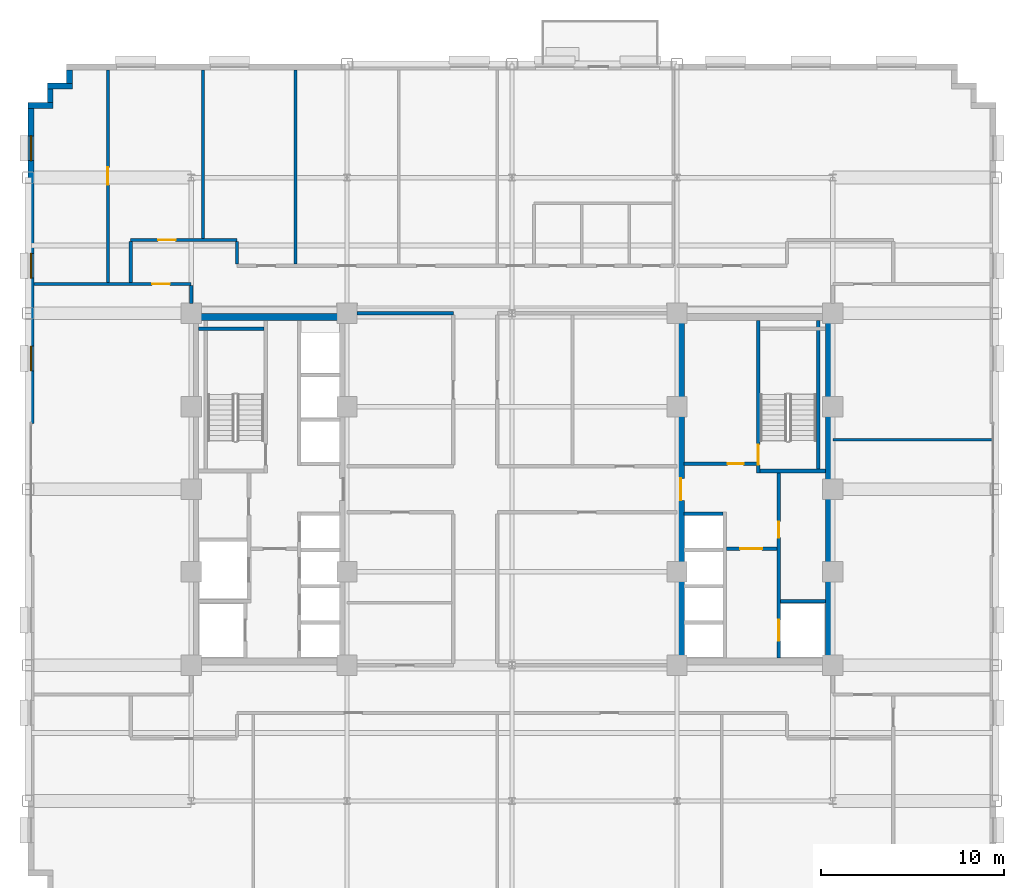
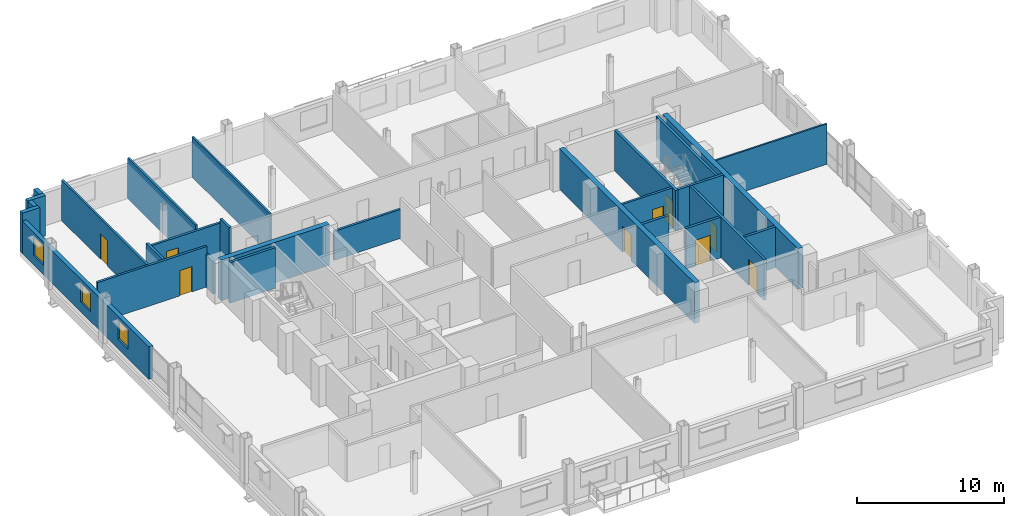
# One storey, part 8 of 16: 27 walls, 9 doors, 3 windows, 12 openings.
"""IFC4 building model written with IfcOpenShell, lengths in metres."""

from ifc_helpers import new_model, si_unit, direction, frame, frame_2d, origin, place, context, subcontext, project, spatial, rectangle, extrude, source, transform, mapped, material, layer, layer_set, type_object, type_shapes, element, fill, save


model = new_model("IFC4")

# Units and contexts
model_context = context("Model", 3, precision=1e-05, world=origin(), true_north=direction((0.0, 1.0)))
body_context = subcontext(model_context, "Body", "Model", "MODEL_VIEW")
ifc_project = project(units=[si_unit("LENGTHUNIT", "METRE"), si_unit("AREAUNIT", "SQUARE_METRE"), si_unit("VOLUMEUNIT", "CUBIC_METRE"), si_unit("PLANEANGLEUNIT", "RADIAN"), si_unit("MASSUNIT", "GRAM", prefix="KILO")], contexts=[model_context])

# Site, building, storey
site_placement = place(None, origin())
site = spatial("IfcSite", under=ifc_project, at=site_placement, CompositionType="ELEMENT")
building_placement = place(site_placement, origin())
building = spatial("IfcBuilding", under=site, at=building_placement, Name="Nuvemarco Arch Tower", CompositionType="ELEMENT")
storey_placement = place(building_placement, frame((0.0, 0.0, 116.550048828125)))
storey = spatial("IfcBuildingStorey", under=building, at=storey_placement, Name="L30", CompositionType="ELEMENT", Elevation=116.550048828125)

# Walls
ifc_material_1 = material(Name="Precast concrete C45/55", Category="concrete")
ifc_layer_1 = layer(ifc_material_1, 0.320068359375, Name="EW-MID-320")
ifc_layer_set_1 = layer_set([ifc_layer_1], Name="Precast concrete C45/55")
wall_type_1 = type_object("IfcWallType", Name="EW-MID-320", PredefinedType="STANDARD", material=ifc_layer_set_1)
wall_1_placement = place(storey_placement, frame((-24.139892578125, 22.14599609375, 0.0), z_axis=(0.0, 0.0, 1.0), x_axis=(0.0, 1.0, 0.0)))
element("IfcWall", 1, at=wall_1_placement, inside=storey, type_object=wall_type_1, Name="L30 exterior precast facade wall 12", PredefinedType="STANDARD", context=body_context, shape_type="SweptSolid", body=[
    extrude(rectangle(XDim=0.738037109375, YDim=0.320068359375, at=frame_2d((0.369140625, 0.0))), origin(), (0.0, 0.0, 1.0), 3.35986328125),
])
wall_2_placement = place(storey_placement, frame((-25.35009765625, 21.989990234375, 0.0), z_axis=(0.0, 0.0, 1.0), x_axis=(1.0, 0.0, 0.0)))
element("IfcWall", 2, at=wall_2_placement, inside=storey, type_object=wall_type_1, Name="L30 exterior precast facade wall 13", PredefinedType="STANDARD", context=body_context, shape_type="SweptSolid", body=[
    extrude(rectangle(XDim=1.3701171875, YDim=0.320068359375, at=frame_2d((0.68505859375, 0.0))), origin(), (0.0, 0.0, 1.0), 3.35986328125),
])
wall_3_placement = place(storey_placement, frame((-25.18994140625, 21.095947265625, 0.0), z_axis=(0.0, 0.0, 1.0), x_axis=(0.0, 1.0, 0.0)))
element("IfcWall", 3, at=wall_3_placement, inside=storey, type_object=wall_type_1, Name="L30 exterior precast facade wall 14", PredefinedType="STANDARD", context=body_context, shape_type="SweptSolid", body=[
    extrude(rectangle(XDim=0.738037109375, YDim=0.320068359375, at=frame_2d((0.369140625, 0.0))), origin(), (0.0, 0.0, 1.0), 3.35986328125),
])
wall_4_placement = place(storey_placement, frame((-26.39990234375, 20.93994140625, 0.0), z_axis=(0.0, 0.0, 1.0), x_axis=(1.0, 0.0, 0.0)))
element("IfcWall", 4, at=wall_4_placement, inside=storey, type_object=wall_type_1, Name="L30 exterior precast facade wall 15", PredefinedType="STANDARD", context=body_context, shape_type="SweptSolid", body=[
    extrude(rectangle(XDim=1.369873046875, YDim=0.320068359375, at=frame_2d((0.68505859375, 0.0))), origin(), (0.0, 0.0, 1.0), 3.35986328125),
])

# Wall, openings, windows
wall_5_placement = place(storey_placement, frame((-26.239990234375, 3.60009765625, 0.0), z_axis=(0.0, 0.0, 1.0), x_axis=(0.0, 1.0, 0.0)))
wall_5 = element("IfcWall", 5, at=wall_5_placement, inside=storey, type_object=wall_type_1, Name="L30 exterior precast pier wall west right", PredefinedType="STANDARD", context=body_context, shape_type="SweptSolid", body=[
    extrude(rectangle(XDim=17.183837890625, YDim=0.320068359375, at=frame_2d((8.591796875, 0.0))), origin(), (0.0, 0.0, 1.0), 2.704833984375),
])
opening_1_placement = place(wall_5_placement, frame((2.855712890625, 0.0, 0.800048828125)))
opening_1 = element("IfcOpeningElement", 6, at=opening_1_placement, cuts=wall_5, Name="Opening WN-6", PredefinedType="OPENING", context=body_context, shape_type="SweptSolid", body=[
    extrude(rectangle(XDim=1.35009765625, YDim=1.56005859375, at=frame_2d((0.675048828125, 0.780029296875))), frame((0.0, 0.169921875, 0.0), z_axis=(0.0, -1.0, 0.0), x_axis=(1.0, 0.0, 0.0)), (0.0, 0.0, 1.0), 0.340087890625),
])
opening_2_placement = place(wall_5_placement, frame((7.9169921875, 0.0, 0.800048828125)))
opening_2 = element("IfcOpeningElement", 7, at=opening_2_placement, cuts=wall_5, Name="Opening WN-6", PredefinedType="OPENING", context=body_context, shape_type="SweptSolid", body=[
    extrude(rectangle(XDim=1.35009765625, YDim=1.56005859375, at=frame_2d((0.675048828125, 0.780029296875))), frame((0.0, 0.169921875, 0.0), z_axis=(0.0, -1.0, 0.0), x_axis=(1.0, 0.0, 0.0)), (0.0, 0.0, 1.0), 0.340087890625),
])
opening_3_placement = place(wall_5_placement, frame((14.328369140625, 0.0, 0.800048828125)))
opening_3 = element("IfcOpeningElement", 8, at=opening_3_placement, cuts=wall_5, Name="Opening WN-6", PredefinedType="OPENING", context=body_context, shape_type="SweptSolid", body=[
    extrude(rectangle(XDim=1.35009765625, YDim=1.56005859375, at=frame_2d((0.675048828125, 0.780029296875))), frame((0.0, 0.169921875, 0.0), z_axis=(0.0, -1.0, 0.0), x_axis=(1.0, 0.0, 0.0)), (0.0, 0.0, 1.0), 0.340087890625),
])
ifc_material_2 = material(Name="Insulated solar-control glass", Category="glass")
window_type = type_object("IfcWindowType", Name="WN-MID-1350x1560", PartitioningType="SINGLE_PANEL", PredefinedType="WINDOW", material=ifc_material_2)
shared_shape_1 = source(origin(), body_context, "Body", "SweptSolid", [
    extrude(rectangle(XDim=1.35009765625, YDim=1.56005859375, at=frame_2d((0.675048828125, 0.780029296875))), frame((0.0, 0.030029296875, 0.0), z_axis=(0.0, -1.0, 0.0), x_axis=(1.0, 0.0, 0.0)), (0.0, 0.0, 1.0), 0.06005859375),
])
type_shapes(window_type, [shared_shape_1])
window_1_placement = place(opening_1_placement, origin())
window_1 = element("IfcWindow", 9, at=window_1_placement, inside=storey, type_object=window_type, Name="L30 punched facade window 1", OverallHeight=1.56005859375, OverallWidth=1.35009765625, PartitioningType="SINGLE_PANEL", PredefinedType="WINDOW", context=body_context, shape_type="MappedRepresentation", body=[
    mapped(shared_shape_1, transform((0.0, 0.0, 0.0), scale=1.0)),
])
fill(opening_1, window_1)
window_2_placement = place(opening_2_placement, origin())
window_2 = element("IfcWindow", 10, at=window_2_placement, inside=storey, type_object=window_type, Name="L30 punched facade window 2", OverallHeight=1.56005859375, OverallWidth=1.35009765625, PartitioningType="SINGLE_PANEL", PredefinedType="WINDOW", context=body_context, shape_type="MappedRepresentation", body=[
    mapped(shared_shape_1, transform((0.0, 0.0, 0.0), scale=1.0)),
])
fill(opening_2, window_2)
window_3_placement = place(opening_3_placement, origin())
window_3 = element("IfcWindow", 11, at=window_3_placement, inside=storey, type_object=window_type, Name="L30 punched facade window 3", OverallHeight=1.56005859375, OverallWidth=1.35009765625, PartitioningType="SINGLE_PANEL", PredefinedType="WINDOW", context=body_context, shape_type="MappedRepresentation", body=[
    mapped(shared_shape_1, transform((0.0, 0.0, 0.0), scale=1.0)),
])
fill(opening_3, window_3)

# Wall
ifc_material_3 = material(Name="Concrete C60/75", Category="concrete")
ifc_layer_2 = layer(ifc_material_3, 0.39990234375, Name="WL-CORE-400")
ifc_layer_set_2 = layer_set([ifc_layer_2], Name="Concrete C60/75")
wall_type_2 = type_object("IfcWallType", Name="WL-CORE-400", PredefinedType="SHEAR", material=ifc_layer_set_2)
wall_6_placement = place(storey_placement, frame((-17.5, 9.39990234375, 0.0), z_axis=(0.0, 0.0, 1.0), x_axis=(1.0, 0.0, 0.0)))
element("IfcWall", 12, at=wall_6_placement, inside=storey, type_object=wall_type_2, Name="L30 W-core shear wall N", PredefinedType="SHEAR", context=body_context, shape_type="SweptSolid", body=[
    extrude(rectangle(XDim=8.5, YDim=0.39990234375, at=frame_2d((4.25, 0.0))), origin(), (0.0, 0.0, 1.0), 3.369873046875),
])

# Wall, opening, door
wall_7_placement = place(storey_placement, frame((9.199951171875, -9.205078125, 0.0), z_axis=(0.0, 0.0, 1.0), x_axis=(0.0, 1.0, 0.0)))
wall_7 = element("IfcWall", 13, at=wall_7_placement, inside=storey, type_object=wall_type_2, Name="L30 E-core shear wall W", PredefinedType="SHEAR", context=body_context, shape_type="SweptSolid", body=[
    extrude(rectangle(XDim=18.41015625, YDim=0.39990234375, at=frame_2d((9.205078125, 0.0))), origin(), (0.0, 0.0, 1.0), 3.369873046875),
])
opening_4_placement = place(wall_7_placement, frame((8.60498046875, 0.0, 0.0)))
opening_4 = element("IfcOpeningElement", 14, at=opening_4_placement, cuts=wall_7, Name="Opening FD-2", PredefinedType="OPENING", context=body_context, shape_type="SweptSolid", body=[
    extrude(rectangle(XDim=1.199951171875, YDim=2.14990234375, at=frame_2d((0.60009765625, 1.074951171875))), frame((0.0, 0.2099609375, 0.0), z_axis=(0.0, -1.0, 0.0), x_axis=(1.0, 0.0, 0.0)), (0.0, 0.0, 1.0), 0.419921875),
])
ifc_material_4 = material(Name="Anodised steel fire door", Category="steel")
door_type_1 = type_object("IfcDoorType", Name="DR-FFLOB-FD", OperationType="NOTDEFINED", PredefinedType="DOOR", material=ifc_material_4)
shared_shape_2 = source(origin(), body_context, "Body", "SweptSolid", [
    extrude(rectangle(XDim=1.199951171875, YDim=2.14990234375, at=frame_2d((0.60009765625, 1.074951171875))), frame((0.0, 0.02490234375, 0.0), z_axis=(0.0, -1.0, 0.0), x_axis=(1.0, 0.0, 0.0)), (0.0, 0.0, 1.0), 0.050048828125),
])
type_shapes(door_type_1, [shared_shape_2])
door_1_placement = place(opening_4_placement, origin())
door_1 = element("IfcDoor", 15, at=door_1_placement, inside=storey, type_object=door_type_1, Name="L30 door FD-L30-ECORE-W", OperationType="SINGLE_SWING_LEFT", OverallHeight=2.14990234375, OverallWidth=1.199951171875, PredefinedType="DOOR", context=body_context, shape_type="MappedRepresentation", body=[
    mapped(shared_shape_2, transform((0.0, 0.0, 0.0), scale=1.0)),
])
fill(opening_4, door_1)

# Wall
wall_8_placement = place(storey_placement, frame((17.300048828125, -9.205078125, 0.0), z_axis=(0.0, 0.0, 1.0), x_axis=(0.0, 1.0, 0.0)))
element("IfcWall", 16, at=wall_8_placement, inside=storey, type_object=wall_type_2, Name="L30 E-core shear wall E", PredefinedType="SHEAR", context=body_context, shape_type="SweptSolid", body=[
    extrude(rectangle(XDim=18.41015625, YDim=0.39990234375, at=frame_2d((9.205078125, 0.0))), origin(), (0.0, 0.0, 1.0), 3.369873046875),
])

# Wall, opening, door
ifc_material_5 = material(Name="Fire-rated gypsum drywall partition")
ifc_layer_3 = layer(ifc_material_5, 0.179931640625, Name="WL-CORR-180")
ifc_layer_set_3 = layer_set([ifc_layer_3], Name="Fire-rated gypsum drywall partition")
wall_type_3 = type_object("IfcWallType", Name="WL-CORR-180", PredefinedType="PARTITIONING", material=ifc_layer_set_3)
wall_9_placement = place(storey_placement, frame((9.39501953125, 1.39990234375, 0.0), z_axis=(0.0, 0.0, 1.0), x_axis=(1.0, 0.0, 0.0)))
wall_9 = element("IfcWall", 17, at=wall_9_placement, inside=storey, type_object=wall_type_3, Name="L30 interior wall IW-L30-EK-S", PredefinedType="PARTITIONING", context=body_context, shape_type="SweptSolid", body=[
    extrude(rectangle(XDim=3.949951171875, YDim=0.179931640625, at=frame_2d((1.97509765625, 0.0))), origin(), (0.0, 0.0, 1.0), 3.35986328125),
])
opening_5_placement = place(wall_9_placement, frame((2.364990234375, 0.0, 0.0)))
opening_5 = element("IfcOpeningElement", 18, at=opening_5_placement, cuts=wall_9, Name="Opening FD-4", PredefinedType="OPENING", context=body_context, shape_type="SweptSolid", body=[
    extrude(rectangle(XDim=0.8798828125, YDim=2.10009765625, at=frame_2d((0.43994140625, 1.050048828125))), frame((0.0, 0.099853515625, 0.0), z_axis=(0.0, -1.0, 0.0), x_axis=(1.0, 0.0, 0.0)), (0.0, 0.0, 1.0), 0.199951171875),
])
door_type_2 = type_object("IfcDoorType", Name="DR-RISER-FD", OperationType="NOTDEFINED", PredefinedType="DOOR", material=ifc_material_4)
shared_shape_3 = source(origin(), body_context, "Body", "SweptSolid", [
    extrude(rectangle(XDim=0.8798828125, YDim=2.10009765625, at=frame_2d((0.43994140625, 1.050048828125))), frame((0.0, 0.02490234375, 0.0), z_axis=(0.0, -1.0, 0.0), x_axis=(1.0, 0.0, 0.0)), (0.0, 0.0, 1.0), 0.050048828125),
])
type_shapes(door_type_2, [shared_shape_3])
door_2_placement = place(opening_5_placement, origin())
door_2 = element("IfcDoor", 19, at=door_2_placement, inside=storey, type_object=door_type_2, Name="L30 door FD-L30-EK1A", OperationType="SINGLE_SWING_RIGHT", OverallHeight=2.10009765625, OverallWidth=0.8798828125, PredefinedType="DOOR", context=body_context, shape_type="MappedRepresentation", body=[
    mapped(shared_shape_3, transform((0.0, 0.0, 0.0), scale=1.0)),
])
fill(opening_5, door_2)

# Wall
wall_10_placement = place(storey_placement, frame((-8.4541015625, 9.60009765625, 0.0), z_axis=(0.0, 0.0, 1.0), x_axis=(1.0, 0.0, 0.0)))
element("IfcWall", 20, at=wall_10_placement, inside=storey, type_object=wall_type_3, Name="L30 interior wall IW-L30-015", PredefinedType="PARTITIONING", context=body_context, shape_type="SweptSolid", body=[
    extrude(rectangle(XDim=5.254150390625, YDim=0.179931640625, at=frame_2d((2.626953125, 0.0))), origin(), (0.0, 0.0, 1.0), 2.405029296875),
])

# Wall, opening, door
wall_11_placement = place(storey_placement, frame((-26.080078125, 11.199951171875, 0.0), z_axis=(0.0, 0.0, 1.0), x_axis=(1.0, 0.0, 0.0)))
wall_11 = element("IfcWall", 21, at=wall_11_placement, inside=storey, type_object=wall_type_3, Name="L30 interior wall IW-L30-018", PredefinedType="PARTITIONING", context=body_context, shape_type="SweptSolid", body=[
    extrude(rectangle(XDim=8.580078125, YDim=0.179931640625, at=frame_2d((4.2900390625, 0.0))), origin(), (0.0, 0.0, 1.0), 3.35986328125),
])
opening_6_placement = place(wall_11_placement, frame((6.449951171875, 0.0, 0.0)))
opening_6 = element("IfcOpeningElement", 22, at=opening_6_placement, cuts=wall_11, Name="Opening FD-5", PredefinedType="OPENING", context=body_context, shape_type="SweptSolid", body=[
    extrude(rectangle(XDim=0.9599609375, YDim=2.10009765625, at=frame_2d((0.47998046875, 1.050048828125))), frame((0.0, 0.099853515625, 0.0), z_axis=(0.0, -1.0, 0.0), x_axis=(1.0, 0.0, 0.0)), (0.0, 0.0, 1.0), 0.199951171875),
])
ifc_material_6 = material(Name="Timber fire door", Category="wood")
door_type_3 = type_object("IfcDoorType", Name="DR-CORR-FD", OperationType="NOTDEFINED", PredefinedType="DOOR", material=ifc_material_6)
shared_shape_4 = source(origin(), body_context, "Body", "SweptSolid", [
    extrude(rectangle(XDim=0.9599609375, YDim=2.10009765625, at=frame_2d((0.47998046875, 1.050048828125))), frame((0.0, 0.02490234375, 0.0), z_axis=(0.0, -1.0, 0.0), x_axis=(1.0, 0.0, 0.0)), (0.0, 0.0, 1.0), 0.050048828125),
])
type_shapes(door_type_3, [shared_shape_4])
door_3_placement = place(opening_6_placement, origin())
door_3 = element("IfcDoor", 23, at=door_3_placement, inside=storey, type_object=door_type_3, Name="L30 door DR-L30-W_1", OperationType="SINGLE_SWING_RIGHT", OverallHeight=2.10009765625, OverallWidth=0.9599609375, PredefinedType="DOOR", context=body_context, shape_type="MappedRepresentation", body=[
    mapped(shared_shape_4, transform((0.0, 0.0, 0.0), scale=1.0)),
])
fill(opening_6, door_3)

wall_12_placement = place(storey_placement, frame((-20.800048828125, 13.60009765625, 0.0), z_axis=(0.0, 0.0, 1.0), x_axis=(1.0, 0.0, 0.0)))
wall_12 = element("IfcWall", 24, at=wall_12_placement, inside=storey, type_object=wall_type_3, Name="L30 interior wall IW-L30-022", PredefinedType="PARTITIONING", context=body_context, shape_type="SweptSolid", body=[
    extrude(rectangle(XDim=5.800048828125, YDim=0.179931640625, at=frame_2d((2.89990234375, 0.0))), origin(), (0.0, 0.0, 1.0), 2.998046875),
])
opening_7_placement = place(wall_12_placement, frame((1.4951171875, 0.0, 0.0)))
opening_7 = element("IfcOpeningElement", 25, at=opening_7_placement, cuts=wall_12, Name="Opening FD-5", PredefinedType="OPENING", context=body_context, shape_type="SweptSolid", body=[
    extrude(rectangle(XDim=0.9599609375, YDim=2.10009765625, at=frame_2d((0.47998046875, 1.050048828125))), frame((0.0, 0.099853515625, 0.0), z_axis=(0.0, -1.0, 0.0), x_axis=(1.0, 0.0, 0.0)), (0.0, 0.0, 1.0), 0.199951171875),
])
door_4_placement = place(opening_7_placement, origin())
door_4 = element("IfcDoor", 26, at=door_4_placement, inside=storey, type_object=door_type_3, Name="L30 door DR-L30-N_2", OperationType="SINGLE_SWING_LEFT", OverallHeight=2.10009765625, OverallWidth=0.9599609375, PredefinedType="DOOR", context=body_context, shape_type="MappedRepresentation", body=[
    mapped(shared_shape_4, transform((0.0, 0.0, 0.0), scale=1.0)),
])
fill(opening_7, door_4)

# Walls
wall_13_placement = place(storey_placement, frame((-20.800048828125, 11.285888671875, 0.0), z_axis=(0.0, 0.0, 1.0), x_axis=(0.0, 1.0, 0.0)))
element("IfcWall", 27, at=wall_13_placement, inside=storey, type_object=wall_type_3, Name="L30 interior wall IW-L30-027", PredefinedType="PARTITIONING", context=body_context, shape_type="SweptSolid", body=[
    extrude(rectangle(XDim=2.22802734375, YDim=0.179931640625, at=frame_2d((1.114013671875, 0.0))), origin(), (0.0, 0.0, 1.0), 3.35986328125),
])
wall_14_placement = place(storey_placement, frame((-17.5, 10.14599609375, 0.0), z_axis=(0.0, 0.0, 1.0), x_axis=(0.0, 1.0, 0.0)))
element("IfcWall", 28, at=wall_14_placement, inside=storey, type_object=wall_type_3, Name="L30 interior wall IW-L30-029", PredefinedType="PARTITIONING", context=body_context, shape_type="SweptSolid", body=[
    extrude(rectangle(XDim=0.968017578125, YDim=0.179931640625, at=frame_2d((0.48388671875, 0.0))), origin(), (0.0, 0.0, 1.0), 2.738037109375),
])
wall_15_placement = place(storey_placement, frame((-15.0, 12.285888671875, 0.0), z_axis=(0.0, 0.0, 1.0), x_axis=(0.0, 1.0, 0.0)))
element("IfcWall", 29, at=wall_15_placement, inside=storey, type_object=wall_type_3, Name="L30 interior wall IW-L30-032", PredefinedType="PARTITIONING", context=body_context, shape_type="SweptSolid", body=[
    extrude(rectangle(XDim=1.22802734375, YDim=0.179931640625, at=frame_2d((0.614013671875, 0.0))), origin(), (0.0, 0.0, 1.0), 3.35986328125),
])
ifc_material_7 = material(Name="Glazed acoustic office partition")
ifc_layer_4 = layer(ifc_material_7, 0.1298828125, Name="WL-EXEC-130")
ifc_layer_set_4 = layer_set([ifc_layer_4], Name="Glazed acoustic office partition")
wall_type_4 = type_object("IfcWallType", Name="WL-EXEC-130", PredefinedType="PARTITIONING", material=ifc_layer_set_4)
wall_16_placement = place(storey_placement, frame((17.5, 2.699951171875, 0.0), z_axis=(0.0, 0.0, 1.0), x_axis=(1.0, 0.0, 0.0)))
element("IfcWall", 30, at=wall_16_placement, inside=storey, type_object=wall_type_4, Name="L30 interior wall IW-L30-014", PredefinedType="PARTITIONING", context=body_context, shape_type="SweptSolid", body=[
    extrude(rectangle(XDim=8.72509765625, YDim=0.1298828125, at=frame_2d((4.362548828125, 0.0))), origin(), (0.0, 0.0, 1.0), 3.35986328125),
])
ifc_material_8 = material(Name="Gypsum plasterboard partition")
ifc_layer_5 = layer(ifc_material_8, 0.139892578125, Name="WL-ROOM-140")
ifc_layer_set_5 = layer_set([ifc_layer_5], Name="Gypsum plasterboard partition")
wall_type_5 = type_object("IfcWallType", Name="WL-ROOM-140", PredefinedType="PARTITIONING", material=ifc_layer_set_5)
wall_17_placement = place(storey_placement, frame((-11.81005859375, 12.285888671875, 0.0), z_axis=(0.0, 0.0, 1.0), x_axis=(0.0, 1.0, 0.0)))
element("IfcWall", 31, at=wall_17_placement, inside=storey, type_object=wall_type_5, Name="L30 interior wall IW-L30-034", PredefinedType="PARTITIONING", context=body_context, shape_type="SweptSolid", body=[
    extrude(rectangle(XDim=10.593994140625, YDim=0.139892578125, at=frame_2d((5.296875, 0.0))), origin(), (0.0, 0.0, 1.0), 3.35986328125),
])
ifc_material_9 = material(Name="Concrete C50/60", Category="concrete")
ifc_layer_6 = layer(ifc_material_9, 0.199951171875, Name="WL-SHAFT-220")
ifc_layer_set_6 = layer_set([ifc_layer_6], Name="Concrete C50/60")
wall_type_6 = type_object("IfcWallType", Name="WL-SHAFT-220", PredefinedType="SHEAR", material=ifc_layer_set_6)
wall_18_placement = place(storey_placement, frame((-17.10498046875, 8.75, 0.0), z_axis=(0.0, 0.0, 1.0), x_axis=(1.0, 0.0, 0.0)))
element("IfcWall", 32, at=wall_18_placement, inside=storey, type_object=wall_type_6, Name="L30 structural shaft wall SW-L30-W-ST1N", PredefinedType="SHEAR", context=body_context, shape_type="SweptSolid", body=[
    extrude(rectangle(XDim=3.570068359375, YDim=0.199951171875, at=frame_2d((1.78515625, 0.0))), origin(), (0.0, 0.0, 1.0), 3.369873046875),
])

# Wall, opening, door
wall_19_placement = place(storey_placement, frame((13.43994140625, 0.89990234375, 0.0), z_axis=(0.0, 0.0, 1.0), x_axis=(0.0, 1.0, 0.0)))
wall_19 = element("IfcWall", 33, at=wall_19_placement, inside=storey, type_object=wall_type_6, Name="L30 structural shaft wall SW-L30-E-ST2W", PredefinedType="SHEAR", context=body_context, shape_type="SweptSolid", body=[
    extrude(rectangle(XDim=8.30517578125, YDim=0.199951171875, at=frame_2d((4.152587890625, 0.0))), origin(), (0.0, 0.0, 1.0), 3.369873046875),
])
opening_8_placement = place(wall_19_placement, frame((0.429931640625, 0.0, 0.0)))
opening_8 = element("IfcOpeningElement", 34, at=opening_8_placement, cuts=wall_19, Name="Opening FD-1", PredefinedType="OPENING", context=body_context, shape_type="SweptSolid", body=[
    extrude(rectangle(XDim=1.10009765625, YDim=2.14990234375, at=frame_2d((0.550048828125, 1.074951171875))), frame((0.0, 0.10986328125, 0.0), z_axis=(0.0, -1.0, 0.0), x_axis=(1.0, 0.0, 0.0)), (0.0, 0.0, 1.0), 0.219970703125),
])
door_type_4 = type_object("IfcDoorType", Name="DR-STAIR-FD", OperationType="NOTDEFINED", PredefinedType="DOOR", material=ifc_material_4)
shared_shape_5 = source(origin(), body_context, "Body", "SweptSolid", [
    extrude(rectangle(XDim=1.10009765625, YDim=2.14990234375, at=frame_2d((0.550048828125, 1.074951171875))), frame((0.0, 0.02490234375, 0.0), z_axis=(0.0, -1.0, 0.0), x_axis=(1.0, 0.0, 0.0)), (0.0, 0.0, 1.0), 0.050048828125),
])
type_shapes(door_type_4, [shared_shape_5])
door_5_placement = place(opening_8_placement, origin())
door_5 = element("IfcDoor", 35, at=door_5_placement, inside=storey, type_object=door_type_4, Name="L30 door FD-L30-ST2", OperationType="SINGLE_SWING_LEFT", OverallHeight=2.14990234375, OverallWidth=1.10009765625, PredefinedType="DOOR", context=body_context, shape_type="MappedRepresentation", body=[
    mapped(shared_shape_5, transform((0.0, 0.0, 0.0), scale=1.0)),
])
fill(opening_8, door_5)

# Walls
wall_20_placement = place(storey_placement, frame((13.534912109375, 1.0, 0.0), z_axis=(0.0, 0.0, 1.0), x_axis=(1.0, 0.0, 0.0)))
element("IfcWall", 36, at=wall_20_placement, inside=storey, type_object=wall_type_6, Name="L30 structural shaft wall SW-L30-E-ST2S", PredefinedType="SHEAR", context=body_context, shape_type="SweptSolid", body=[
    extrude(rectangle(XDim=3.570068359375, YDim=0.199951171875, at=frame_2d((1.78515625, 0.0))), origin(), (0.0, 0.0, 1.0), 3.369873046875),
])
wall_21_placement = place(storey_placement, frame((16.699951171875, 1.094970703125, 0.0), z_axis=(0.0, 0.0, 1.0), x_axis=(0.0, 1.0, 0.0)))
element("IfcWall", 37, at=wall_21_placement, inside=storey, type_object=wall_type_6, Name="L30 structural shaft wall SW-L30-E-ST2E", PredefinedType="SHEAR", context=body_context, shape_type="SweptSolid", body=[
    extrude(rectangle(XDim=8.110107421875, YDim=0.199951171875, at=frame_2d((4.05517578125, 0.0))), origin(), (0.0, 0.0, 1.0), 3.369873046875),
])

# Wall, openings, doors
wall_22_placement = place(storey_placement, frame((14.550048828125, -9.205078125, 0.0), z_axis=(0.0, 0.0, 1.0), x_axis=(0.0, 1.0, 0.0)))
wall_22 = element("IfcWall", 38, at=wall_22_placement, inside=storey, type_object=wall_type_6, Name="L30 structural shaft wall SW-L30-E-SHW", PredefinedType="SHEAR", context=body_context, shape_type="SweptSolid", body=[
    extrude(rectangle(XDim=10.110107421875, YDim=0.199951171875, at=frame_2d((5.05517578125, 0.0))), origin(), (0.0, 0.0, 1.0), 3.369873046875),
])
opening_9_placement = place(wall_22_placement, frame((6.56494140625, 0.0, 0.0)))
opening_9 = element("IfcOpeningElement", 39, at=opening_9_placement, cuts=wall_22, Name="Opening FD-4", PredefinedType="OPENING", context=body_context, shape_type="SweptSolid", body=[
    extrude(rectangle(XDim=0.8798828125, YDim=2.10009765625, at=frame_2d((0.43994140625, 1.050048828125))), frame((0.0, 0.10986328125, 0.0), z_axis=(0.0, -1.0, 0.0), x_axis=(1.0, 0.0, 0.0)), (0.0, 0.0, 1.0), 0.219970703125),
])
opening_10_placement = place(wall_22_placement, frame((0.929931640625, 0.0, 0.0)))
opening_10 = element("IfcOpeningElement", 40, at=opening_10_placement, cuts=wall_22, Name="Opening LD-2", PredefinedType="OPENING", context=body_context, shape_type="SweptSolid", body=[
    extrude(rectangle(XDim=1.14990234375, YDim=2.14990234375, at=frame_2d((0.574951171875, 1.074951171875))), frame((0.0, 0.10986328125, 0.0), z_axis=(0.0, -1.0, 0.0), x_axis=(1.0, 0.0, 0.0)), (0.0, 0.0, 1.0), 0.219970703125),
])
door_6_placement = place(opening_9_placement, origin())
door_6 = element("IfcDoor", 41, at=door_6_placement, inside=storey, type_object=door_type_2, Name="L30 door FD-L30-ERIS", OperationType="SINGLE_SWING_LEFT", OverallHeight=2.10009765625, OverallWidth=0.8798828125, PredefinedType="DOOR", context=body_context, shape_type="MappedRepresentation", body=[
    mapped(shared_shape_3, transform((0.0, 0.0, 0.0), scale=1.0)),
])
fill(opening_9, door_6)
ifc_material_10 = material(Name="Stainless steel lift door", Category="steel")
door_type_5 = type_object("IfcDoorType", Name="DR-LIFT-FIRE", OperationType="DOUBLE_DOOR_SLIDING", PredefinedType="DOOR", material=ifc_material_10)
shared_shape_6 = source(origin(), body_context, "Body", "SweptSolid", [
    extrude(rectangle(XDim=1.14990234375, YDim=2.14990234375, at=frame_2d((0.574951171875, 1.074951171875))), frame((0.0, 0.02490234375, 0.0), z_axis=(0.0, -1.0, 0.0), x_axis=(1.0, 0.0, 0.0)), (0.0, 0.0, 1.0), 0.050048828125),
])
type_shapes(door_type_5, [shared_shape_6])
door_7_placement = place(opening_10_placement, origin())
door_7 = element("IfcDoor", 42, at=door_7_placement, inside=storey, type_object=door_type_5, Name="L30 Lift landing sliding door FFL-2", OperationType="DOUBLE_DOOR_SLIDING", OverallHeight=2.14990234375, OverallWidth=1.14990234375, PredefinedType="DOOR", context=body_context, shape_type="MappedRepresentation", body=[
    mapped(shared_shape_6, transform((0.0, 0.0, 0.0), scale=1.0)),
])
fill(opening_10, door_7)

# Wall
wall_23_placement = place(storey_placement, frame((14.64501953125, -6.10009765625, 0.0), z_axis=(0.0, 0.0, 1.0), x_axis=(1.0, 0.0, 0.0)))
element("IfcWall", 43, at=wall_23_placement, inside=storey, type_object=wall_type_6, Name="L30 structural shaft wall SW-L30-E-SH1", PredefinedType="SHEAR", context=body_context, shape_type="SweptSolid", body=[
    extrude(rectangle(XDim=2.4599609375, YDim=0.199951171875, at=frame_2d((1.22998046875, 0.0))), origin(), (0.0, 0.0, 1.0), 3.369873046875),
])

# Wall, opening, door
wall_24_placement = place(storey_placement, frame((11.695068359375, -3.25, 0.0), z_axis=(0.0, 0.0, 1.0), x_axis=(1.0, 0.0, 0.0)))
wall_24 = element("IfcWall", 44, at=wall_24_placement, inside=storey, type_object=wall_type_6, Name="L30 structural shaft wall SW-L30-E-FFN", PredefinedType="SHEAR", context=body_context, shape_type="SweptSolid", body=[
    extrude(rectangle(XDim=2.760009765625, YDim=0.199951171875, at=frame_2d((1.3798828125, 0.0))), origin(), (0.0, 0.0, 1.0), 3.369873046875),
])
opening_11_placement = place(wall_24_placement, frame((0.7548828125, 0.0, 0.0)))
opening_11 = element("IfcOpeningElement", 45, at=opening_11_placement, cuts=wall_24, Name="Opening FD-2", PredefinedType="OPENING", context=body_context, shape_type="SweptSolid", body=[
    extrude(rectangle(XDim=1.199951171875, YDim=2.14990234375, at=frame_2d((0.60009765625, 1.074951171875))), frame((0.0, 0.10986328125, 0.0), z_axis=(0.0, -1.0, 0.0), x_axis=(1.0, 0.0, 0.0)), (0.0, 0.0, 1.0), 0.219970703125),
])
door_8_placement = place(opening_11_placement, origin())
door_8 = element("IfcDoor", 46, at=door_8_placement, inside=storey, type_object=door_type_1, Name="L30 door FD-L30-EFF2", OperationType="SINGLE_SWING_LEFT", OverallHeight=2.14990234375, OverallWidth=1.199951171875, PredefinedType="DOOR", context=body_context, shape_type="MappedRepresentation", body=[
    mapped(shared_shape_2, transform((0.0, 0.0, 0.0), scale=1.0)),
])
fill(opening_11, door_8)

# Wall
wall_25_placement = place(storey_placement, frame((9.39501953125, -1.330078125, 0.0), z_axis=(0.0, 0.0, 1.0), x_axis=(1.0, 0.0, 0.0)))
element("IfcWall", 47, at=wall_25_placement, inside=storey, type_object=wall_type_6, Name="L30 structural shaft wall SW-L30-E-PMD4", PredefinedType="SHEAR", context=body_context, shape_type="SweptSolid", body=[
    extrude(rectangle(XDim=2.10986328125, YDim=0.199951171875, at=frame_2d((1.054931640625, 0.0))), origin(), (0.0, 0.0, 1.0), 3.369873046875),
])

# Wall, opening, door
ifc_material_11 = material(Name="Acoustic gypsum drywall partition")
ifc_layer_7 = layer(ifc_material_11, 0.159912109375, Name="WL-TENANT-160")
ifc_layer_set_7 = layer_set([ifc_layer_7], Name="Acoustic gypsum drywall partition")
wall_type_7 = type_object("IfcWallType", Name="WL-TENANT-160", PredefinedType="PARTITIONING", material=ifc_layer_set_7)
wall_26_placement = place(storey_placement, frame((-22.050048828125, 11.285888671875, 0.0), z_axis=(0.0, 0.0, 1.0), x_axis=(0.0, 1.0, 0.0)))
wall_26 = element("IfcWall", 48, at=wall_26_placement, inside=storey, type_object=wall_type_7, Name="L30 interior wall IW-L30-025", PredefinedType="PARTITIONING", context=body_context, shape_type="SweptSolid", body=[
    extrude(rectangle(XDim=11.593994140625, YDim=0.159912109375, at=frame_2d((5.796875, 0.0))), origin(), (0.0, 0.0, 1.0), 3.35986328125),
])
opening_12_placement = place(wall_26_placement, frame((5.31689453125, 0.0, 0.0)))
opening_12 = element("IfcOpeningElement", 49, at=opening_12_placement, cuts=wall_26, Name="Opening FD-5", PredefinedType="OPENING", context=body_context, shape_type="SweptSolid", body=[
    extrude(rectangle(XDim=0.9599609375, YDim=2.10009765625, at=frame_2d((0.47998046875, 1.050048828125))), frame((0.0, 0.08984375, 0.0), z_axis=(0.0, -1.0, 0.0), x_axis=(1.0, 0.0, 0.0)), (0.0, 0.0, 1.0), 0.179931640625),
])
door_9_placement = place(opening_12_placement, origin())
door_9 = element("IfcDoor", 50, at=door_9_placement, inside=storey, type_object=door_type_3, Name="L30 door DR-L30-N_1", OperationType="SINGLE_SWING_RIGHT", OverallHeight=2.10009765625, OverallWidth=0.9599609375, PredefinedType="DOOR", context=body_context, shape_type="MappedRepresentation", body=[
    mapped(shared_shape_4, transform((0.0, 0.0, 0.0), scale=1.0)),
])
fill(opening_12, door_9)

# Wall
wall_27_placement = place(storey_placement, frame((-16.85009765625, 13.68603515625, 0.0), z_axis=(0.0, 0.0, 1.0), x_axis=(0.0, 1.0, 0.0)))
element("IfcWall", 51, at=wall_27_placement, inside=storey, type_object=wall_type_7, Name="L30 interior wall IW-L30-030", PredefinedType="PARTITIONING", context=body_context, shape_type="SweptSolid", body=[
    extrude(rectangle(XDim=9.19384765625, YDim=0.159912109375, at=frame_2d((4.596923828125, 0.0))), origin(), (0.0, 0.0, 1.0), 3.35986328125),
])

save(model, "model.ifc")
